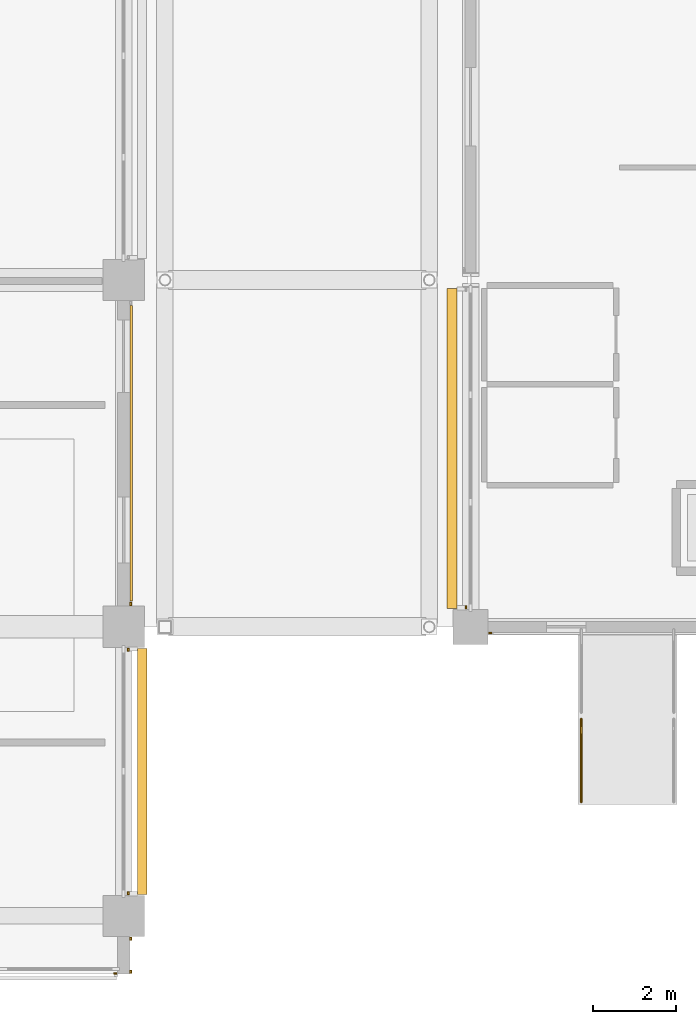
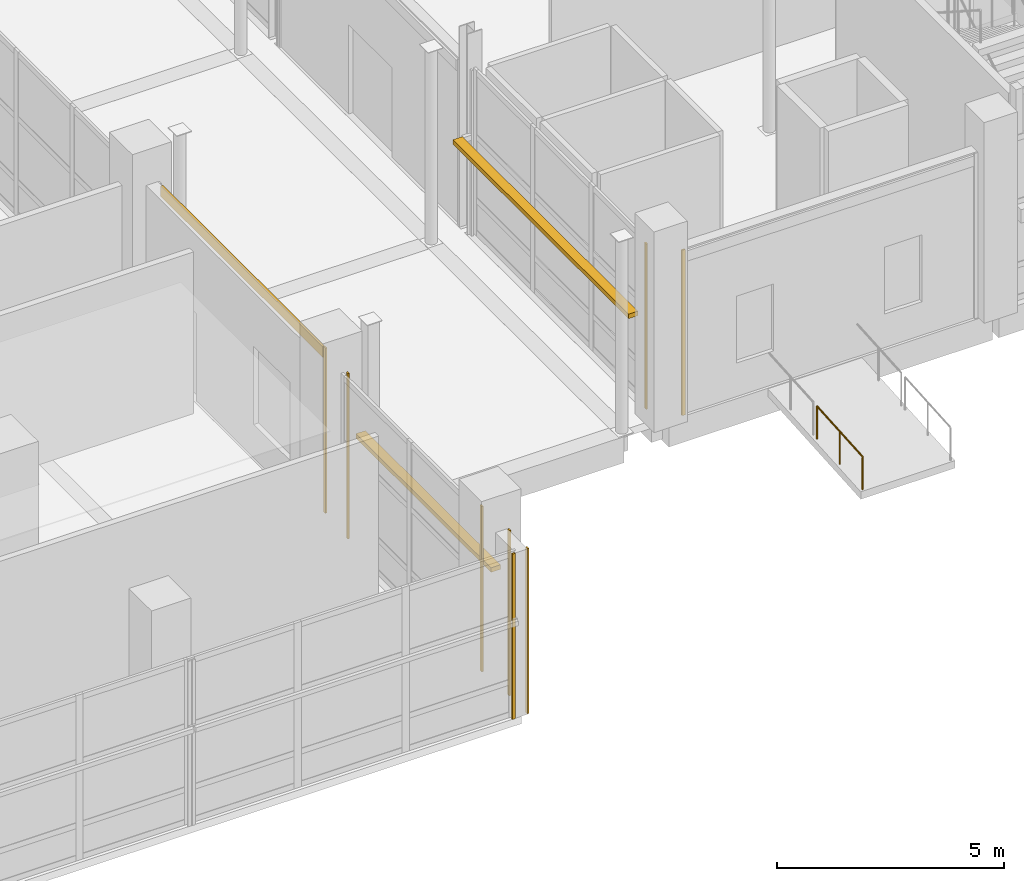
# One storey, part 116 of 140: 9 coverings, 2 shading devices, 1 railing.
"""IFC4 building model written with IfcOpenShell, lengths in metres."""

import ifcopenshell
import ifcopenshell.guid

model = None  # the IFC model being written
_history = None  # IfcOwnerHistory: only IFC2X3 demands one
_inside = {}  # id of a spatial element -> (the spatial element, [elements in it])
_under = {}  # id of a project, library or spatial element -> (it, [spatial elements below it])
_declared = {}  # id of a project -> (the project, [libraries it declares])
_typed = {}  # id of a type object -> (the type object, [elements of that type])
_made_of = {}  # id of a material, layer set ... -> (it, [elements and type objects made of it])


def new_model(schema):
    """Start an empty IFC model of exactly this schema.

    Asked for "IFC4X3", IfcOpenShell would pick the latest addendum, in which some entities
    have other attributes; the version numbers below select the first issue.
    IFC2X3 requires an IfcOwnerHistory on every rooted entity: one is made here for all.
    """
    global model, _history
    if schema == "IFC4X3":
        model = ifcopenshell.file(schema_version=(4, 3, 0, 0))
    else:
        model = ifcopenshell.file(schema=schema)
    _inside.clear()
    _under.clear()
    _declared.clear()
    _typed.clear()
    _made_of.clear()
    _history = None
    if model.schema == "IFC2X3":
        org = make("IfcOrganization", Name="unknown")
        user = make(
            "IfcPersonAndOrganization",
            ThePerson=make("IfcPerson", FamilyName="unknown"),
            TheOrganization=org,
        )
        app = make(
            "IfcApplication",
            ApplicationDeveloper=org,
            Version="unknown",
            ApplicationFullName="unknown",
            ApplicationIdentifier="unknown",
        )
        _history = make(
            "IfcOwnerHistory",
            OwningUser=user,
            OwningApplication=app,
            ChangeAction="ADDED",
            CreationDate=0,
        )
    return model


def make(cls, **values):
    """One entity of the class cls with the attributes given. An attribute that is None is left unset."""
    return model.create_entity(
        cls, **{name: value for name, value in values.items() if value is not None}
    )


def rooted(cls, **values):
    """An entity with a GlobalId (a new one), such as an element, a storey or a relation."""
    return make(cls, GlobalId=ifcopenshell.guid.new(), OwnerHistory=_history, **values)


def si_unit(unit_type, name, prefix=None):
    """IfcSIUnit, for example si_unit("LENGTHUNIT", "METRE", prefix="MILLI")."""
    return make("IfcSIUnit", UnitType=unit_type, Prefix=prefix, Name=name)


def assignment(units):
    """IfcUnitAssignment: the units of a project."""
    return None if units is None else make("IfcUnitAssignment", Units=units)


def point(xyz):
    """IfcCartesianPoint."""
    return None if xyz is None else make("IfcCartesianPoint", Coordinates=xyz)


def direction(xyz):
    """IfcDirection."""
    return None if xyz is None else make("IfcDirection", DirectionRatios=xyz)


def frame(location, z_axis=None, x_axis=None):
    """IfcAxis2Placement3D, a coordinate frame: its origin and axes. An axis left out is left unset."""
    return make(
        "IfcAxis2Placement3D",
        Location=point(location),
        Axis=direction(z_axis),
        RefDirection=direction(x_axis),
    )


def frame_2d(location, x_axis=None):
    """IfcAxis2Placement2D, a coordinate frame in the plane: its origin and x axis."""
    return make(
        "IfcAxis2Placement2D", Location=point(location), RefDirection=direction(x_axis)
    )


def origin():
    """The frame at (0, 0, 0) with its axes left unset."""
    return frame((0.0, 0.0, 0.0))


def origin_2d():
    """The frame at (0, 0) in the plane with its x axis left unset."""
    return frame_2d((0.0, 0.0))


def place(relative_to, where):
    """IfcLocalPlacement: puts the frame where relative to a parent placement (None: the world)."""
    return make(
        "IfcLocalPlacement", PlacementRelTo=relative_to, RelativePlacement=where
    )


def context(
    kind, dimensions, precision=None, world=None, true_north=None, identifier=None
):
    """IfcGeometricRepresentationContext, for example the 3D "Model" context."""
    return make(
        "IfcGeometricRepresentationContext",
        ContextIdentifier=identifier,
        ContextType=kind,
        CoordinateSpaceDimension=dimensions,
        Precision=precision,
        WorldCoordinateSystem=world,
        TrueNorth=true_north,
    )


def subcontext(parent, identifier, kind, view, scale=None):
    """IfcGeometricRepresentationSubContext, for example "Body" below "Model"."""
    return make(
        "IfcGeometricRepresentationSubContext",
        ContextIdentifier=identifier,
        ContextType=kind,
        ParentContext=parent,
        TargetScale=scale,
        TargetView=view,
    )


def project(units=None, contexts=None):
    """IfcProject with its units and contexts."""
    return rooted(
        "IfcProject",
        Name="project",
        RepresentationContexts=contexts,
        UnitsInContext=assignment(units),
    )


def spatial(cls, under=None, at=None, **own):
    """A site, building, storey or space (cls), placed at a placement, below another one or the project."""
    s = rooted(cls, ObjectPlacement=at, **own)
    if under is not None:
        _under.setdefault(under.id(), (under, []))[1].append(s)
    return s


def profile(cls, at=None, kind="AREA", **sizes):
    """A parametric profile (cls). Its sizes go by their IFC names, for example OverallWidth=200.0."""
    return make(cls, ProfileType=kind, Position=at, **sizes)


def rectangle(**sizes):
    """IfcRectangleProfileDef."""
    return profile("IfcRectangleProfileDef", **sizes)


def circle(**sizes):
    """IfcCircleProfileDef."""
    return profile("IfcCircleProfileDef", **sizes)


def extrude(swept, where, along, depth):
    """IfcExtrudedAreaSolid: the profile swept, set in the frame where, extruded along a direction by depth."""
    return make(
        "IfcExtrudedAreaSolid",
        SweptArea=swept,
        Position=where,
        ExtrudedDirection=direction(along),
        Depth=depth,
    )


def shape(context_of_items, identifier, shape_type, items):
    """IfcShapeRepresentation: the items that make up one representation, for example the "Body"."""
    return make(
        "IfcShapeRepresentation",
        ContextOfItems=context_of_items,
        RepresentationIdentifier=identifier,
        RepresentationType=shape_type,
        Items=items,
    )


def material(Name=None, Category=None):
    """IfcMaterial."""
    return make("IfcMaterial", Name=Name, Category=Category)


def layer(
    of_material, thickness, ventilated=None, Name=None, Category=None, Priority=None
):
    """IfcMaterialLayer: one layer of a wall or slab, of a material (None: an air gap)."""
    return make(
        "IfcMaterialLayer",
        Material=of_material,
        LayerThickness=thickness,
        IsVentilated=ventilated,
        Name=Name,
        Category=Category,
        Priority=Priority,
    )


def layer_set(layers, Name=None):
    """IfcMaterialLayerSet."""
    return make("IfcMaterialLayerSet", MaterialLayers=layers, LayerSetName=Name)


def made_of(thing, what):
    """Note that an element or type object is made of a material, layer set ...; save() writes the relation."""
    if what is not None:
        _made_of.setdefault(what.id(), (what, []))[1].append(thing)
    return thing


def type_object(cls, material=None, **own):
    """A type object (cls), such as IfcWallType, which elements share."""
    return made_of(rooted(cls, **own), material)


def element(
    cls,
    number,
    at=None,
    inside=None,
    cuts=None,
    type_object=None,
    material=None,
    context=None,
    identifier="Body",
    shape_type=None,
    held_by="IfcProductDefinitionShape",
    body=None,
    shapes=None,
    **own,
):
    """One element of the class cls, such as IfcWall. Its Tag is "e" and its number.

    at: its placement. inside: the storey or other place that contains it. cuts: it is an
    opening in that element (IfcRelVoidsElement). A single representation is given by context,
    identifier, shape_type and body (its items); several are given by shapes. held_by: the class
    of the entity that holds the representations. save() writes the other relations.
    """
    e = rooted(cls, Tag="e%d" % number, ObjectPlacement=at, **own)
    if body is not None:
        shapes = [shape(context, identifier, shape_type, body)]
    if shapes is not None:
        e.Representation = make(held_by, Representations=shapes)
    if inside is not None:
        _inside.setdefault(inside.id(), (inside, []))[1].append(e)
    if cuts is not None:
        rooted(
            "IfcRelVoidsElement", RelatingBuildingElement=cuts, RelatedOpeningElement=e
        )
    if type_object is not None:
        _typed.setdefault(type_object.id(), (type_object, []))[1].append(e)
    return made_of(e, material)


def aggregate(whole, parts):
    """IfcRelAggregates: a whole, such as a stair, and the parts it consists of."""
    return rooted("IfcRelAggregates", RelatingObject=whole, RelatedObjects=parts)


def save(model, path):
    """Write the relations noted so far, then the file.

    IfcRelAggregates (storeys below a building ...), IfcRelContainedInSpatialStructure (elements
    in a storey), IfcRelDefinesByType, IfcRelAssociatesMaterial and IfcRelDeclares: one each for
    every whole, place, type object, material and project.
    """
    for whole, parts in _under.values():
        aggregate(whole, parts)
    for where, things in _inside.values():
        rooted(
            "IfcRelContainedInSpatialStructure",
            RelatedElements=things,
            RelatingStructure=where,
        )
    for kind, things in _typed.values():
        rooted("IfcRelDefinesByType", RelatedObjects=things, RelatingType=kind)
    for what, things in _made_of.values():
        rooted("IfcRelAssociatesMaterial", RelatedObjects=things, RelatingMaterial=what)
    for by, libraries in _declared.values():
        rooted("IfcRelDeclares", RelatingContext=by, RelatedDefinitions=libraries)
    model.write(path)


model = new_model("IFC4")

# Units and contexts
model_context = context("Model", 3, precision=1e-05, world=origin(), true_north=direction((0.0, 1.0)))
body_context = subcontext(model_context, "Body", "Model", "MODEL_VIEW")
ifc_project = project(units=[si_unit("LENGTHUNIT", "METRE"), si_unit("AREAUNIT", "SQUARE_METRE"), si_unit("VOLUMEUNIT", "CUBIC_METRE"), si_unit("PLANEANGLEUNIT", "RADIAN"), si_unit("MASSUNIT", "GRAM", prefix="KILO")], contexts=[model_context])

# Site, building, storey
site_placement = place(None, origin())
site = spatial("IfcSite", under=ifc_project, at=site_placement, CompositionType="ELEMENT")
building_placement = place(site_placement, origin())
building = spatial("IfcBuilding", under=site, at=building_placement, Name="Telukmera Botanical Conservatory", CompositionType="ELEMENT")
storey_placement = place(building_placement, origin())
storey = spatial("IfcBuildingStorey", under=building, at=storey_placement, Name="L00", CompositionType="ELEMENT", Elevation=0.0)

# Railing
ifc_material_1 = material(Name="Brushed stainless steel grade 316", Category="steel")
railing_type = type_object("IfcRailingType", Name="Accessible Boulevard Ramp Tubular Handrail 900", PredefinedType="HANDRAIL", material=ifc_material_1)
railing_placement = place(storey_placement, frame((120.280029296875, 13.360107421875, -0.2958984375)))
element("IfcRailing", 1, at=railing_placement, inside=storey, type_object=railing_type, Name="Conservatory West Accessible Approach Ramp Handrail W-LO", PredefinedType="HANDRAIL", context=body_context, shape_type="SweptSolid", body=[
    extrude(circle(Radius=0.02099609375, at=origin_2d()), frame((0.0, 0.0, 0.87890625), z_axis=(0.0, 0.997570011495, 0.0696711717), x_axis=(-1.0, 0.0, 0.0)), (0.0, 0.0, 1.0), 2.014892578125),
    extrude(circle(Radius=0.01904296875, at=origin_2d()), origin(), (0.0, 0.0, 1.0), 0.85791015625),
    extrude(circle(Radius=0.01904296875, at=origin_2d()), frame((0.0, 1.0048828125, 0.0703125)), (0.0, 0.0, 1.0), 0.85791015625),
    extrude(circle(Radius=0.01904296875, at=origin_2d()), frame((0.0, 2.010009765625, 0.140380859375)), (0.0, 0.0, 1.0), 0.85791015625),
])

# Coverings
ifc_material_2 = material(Name="Granite-faced precast concrete C40/50", Category="masonry")
ifc_layer_1 = layer(ifc_material_2, 0.0400390625)
ifc_layer_set_1 = layer_set([ifc_layer_1], Name="Granite-faced precast concrete C40/50")
covering_type_1 = type_object("IfcCoveringType", Name="Granite Precast Column Pier Reveal Casing", PredefinedType="CLADDING", material=ifc_layer_set_1)
for number, where, z_axis, x_axis, name in (
    (2, (118.076904296875, 17.449951171875, 0.0), (0.0, 0.0, 1.0), (1.0, 0.0, 0.0), "Granite Pier Reveal V1:L00:S1 L"),
    (3, (117.489990234375, 18.076904296875, 0.0), (0.0, 0.0, 1.0), (0.0, 1.0, 0.0), "Granite Pier Reveal V1:L00:W1 L"),
    (4, (109.3701171875, 9.25, 0.0), (0.0, 0.0, 1.0), (0.0, 1.0, 0.0), "Granite Pier Reveal V4:L00:SEC L"),
    (5, (109.3701171875, 10.048095703125, 0.0), (0.0, 0.0, 1.0), (0.0, 1.0, 0.0), "Granite Pier Reveal V4:L00:SEC R"),
    (6, (108.998046875, 9.2099609375, 0.0), (0.0, 0.0, 1.0), (1.0, 0.0, 0.0), "Granite Pier Reveal V4:L00:S7 R"),
    (7, (109.31005859375, 11.152099609375, 0.0), (0.0, 0.0, 1.0), (0.0, 1.0, 0.0), "Granite Pier Reveal V4:L00:E1 L"),
    (8, (109.31005859375, 17.048095703125, 0.0), (0.0, 0.0, 1.0), (0.0, 1.0, 0.0), "Granite Pier Reveal V4:L00:E1 R"),
    (9, (109.3701171875, 18.152099609375, 0.0), (0.0, 0.0, 1.0), (0.0, 1.0, 0.0), "Granite Pier Reveal V4:L00:E2 L"),
):
    element("IfcCovering", number, at=place(storey_placement, frame(where, z_axis=z_axis, x_axis=x_axis)), inside=storey, type_object=covering_type_1, Name=name, PredefinedType="CLADDING", context=body_context, shape_type="SweptSolid", body=[
        extrude(rectangle(XDim=0.080078125, YDim=0.0400390625, at=origin_2d()), origin(), (0.0, 0.0, 1.0), 4.449951171875),
    ])

# Shading devices
ifc_material_3 = material(Name="Perforated terracotta-anodised aluminium 6063-T6", Category="masonry")
ifc_layer_2 = layer(ifc_material_3, 0.044921875)
ifc_layer_set_2 = layer_set([ifc_layer_2], Name="Perforated terracotta-anodised aluminium 6063-T6")
shading_device_type = type_object("IfcShadingDeviceType", Name="Perforated Terracotta Aluminium Monsoon Brise Soleil", PredefinedType="JALOUSIE", material=ifc_layer_set_2)
shading_device_1_placement = place(storey_placement, frame((117.14990234375, 21.92041015625, 2.58984375), z_axis=(0.0, 0.0, 1.0), x_axis=(0.0, 1.0, 0.0)))
element("IfcShadingDevice", 10, at=shading_device_1_placement, inside=storey, type_object=shading_device_type, Name="Monsoon Shading BS01 V1:L00:W1", PredefinedType="JALOUSIE", context=body_context, shape_type="SweptSolid", body=[
    extrude(rectangle(XDim=7.746826171875, YDim=0.239990234375, at=origin_2d()), origin(), (0.0, 0.0, 1.0), 0.1201171875),
])
shading_device_2_placement = place(storey_placement, frame((109.64990234375, 14.10009765625, 2.58984375), z_axis=(0.0, 0.0, 1.0), x_axis=(0.0, 1.0, 0.0)))
element("IfcShadingDevice", 11, at=shading_device_2_placement, inside=storey, type_object=shading_device_type, Name="Monsoon Shading BS01 V4:L00:E1", PredefinedType="JALOUSIE", context=body_context, shape_type="SweptSolid", body=[
    extrude(rectangle(XDim=5.9560546875, YDim=0.239990234375, at=origin_2d()), origin(), (0.0, 0.0, 1.0), 0.1201171875),
])

# Covering
ifc_material_4 = material(Name="Terracotta-faced precast concrete C40/50", Category="masonry")
ifc_layer_3 = layer(ifc_material_4, 0.06005859375)
ifc_layer_set_3 = layer_set([ifc_layer_3], Name="Terracotta-faced precast concrete C40/50")
covering_type_2 = type_object("IfcCoveringType", Name="Polychrome Terracotta Facade Band Cladding", PredefinedType="CLADDING", material=ifc_layer_set_3)
covering_placement = place(storey_placement, frame((109.3798828125, 21.800048828125, 4.1298828125), z_axis=(0.0, 0.0, 1.0), x_axis=(0.0, 1.0, 0.0)))
element("IfcCovering", 12, at=covering_placement, inside=storey, type_object=covering_type_2, Name="Polychrome Terracotta Band V4:L00:E2", PredefinedType="CLADDING", context=body_context, shape_type="SweptSolid", body=[
    extrude(rectangle(XDim=7.156005859375, YDim=0.06005859375, at=origin_2d()), origin(), (0.0, 0.0, 1.0), 0.280029296875),
])

save(model, "model.ifc")
